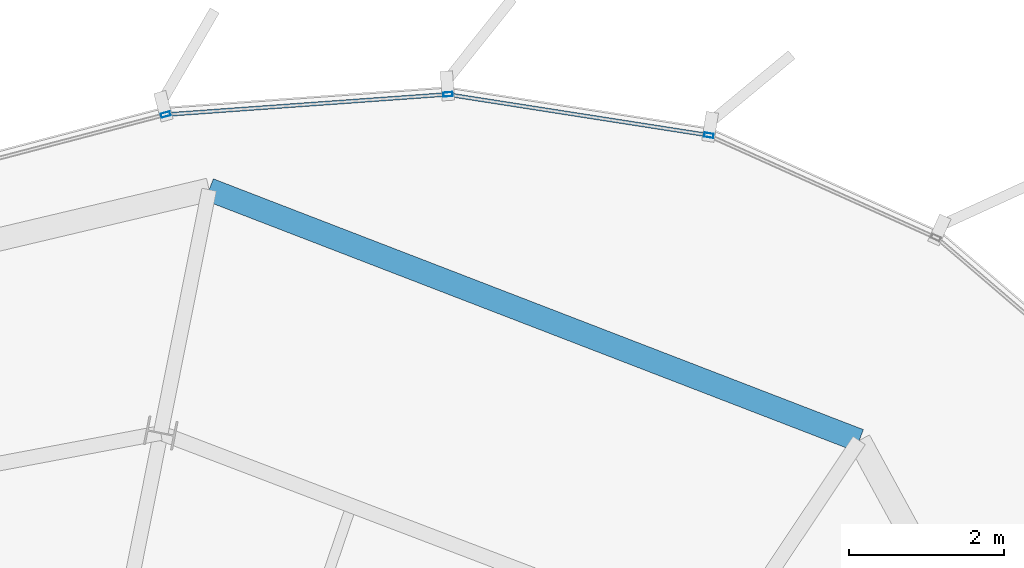
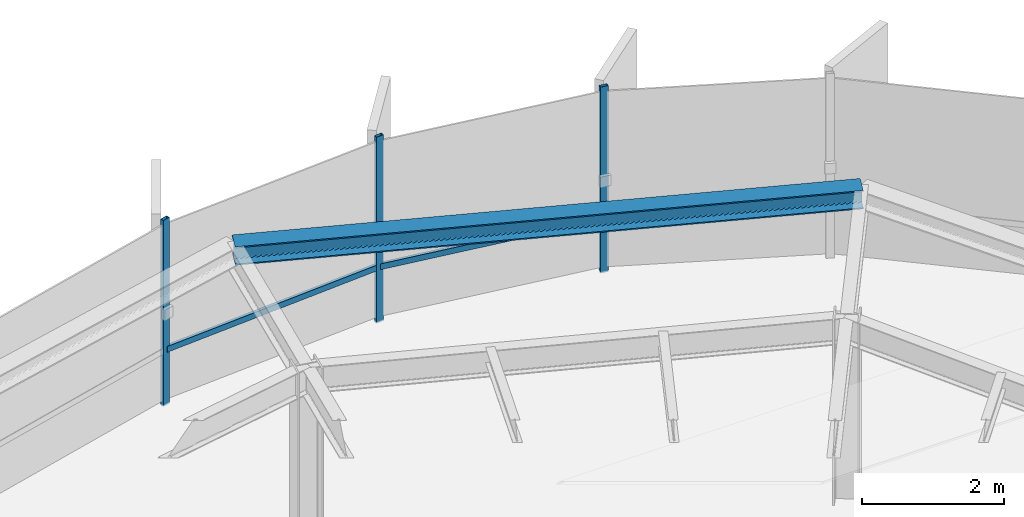
# One storey, part 22 of 33: 5 members, 1 beam, 1 element without a shape of its own.
"""IFC4 building model written with IfcOpenShell, lengths in metres."""

from ifc_helpers import new_model, si_unit, direction, frame, origin, origin_2d, place, context, subcontext, project, spatial, hollow_rectangle, i_section, extrude, source, transform, mapped, material, layer, layer_set, material_profile, profile_set, type_object, element, aggregate, save


model = new_model("IFC4")

# Units and contexts
model_context = context("Model", 3, precision=1e-05, world=origin(), true_north=direction((0.0, 1.0)))
body_context = subcontext(model_context, "Body", "Model", "MODEL_VIEW")
ifc_project = project(units=[si_unit("LENGTHUNIT", "METRE"), si_unit("AREAUNIT", "SQUARE_METRE"), si_unit("VOLUMEUNIT", "CUBIC_METRE"), si_unit("PLANEANGLEUNIT", "RADIAN"), si_unit("MASSUNIT", "GRAM", prefix="KILO"), si_unit("THERMODYNAMICTEMPERATUREUNIT", "KELVIN")], contexts=[model_context])

# Site, building, storey
site_placement = place(None, origin())
site = spatial("IfcSite", under=ifc_project, at=site_placement, CompositionType="ELEMENT")
building_placement = place(site_placement, origin())
building = spatial("IfcBuilding", under=site, at=building_placement, Name="Kethvar Cultural Tower", CompositionType="ELEMENT")
storey_placement = place(building_placement, frame((0.0, 0.0, 266.35009765625)))
storey = spatial("IfcBuildingStorey", under=building, at=storey_placement, Name="L70", CompositionType="ELEMENT", Elevation=266.35009765625)

# Beam
ifc_material_1 = material(Name="Steel S355J2", Category="steel")
ifc_material_profile_1 = material_profile(ifc_material_1, i_section(OverallWidth=0.300048828125, OverallDepth=0.320068359375, WebThickness=0.011474609375, FlangeThickness=0.0205078125, FilletRadius=0.027099609375, at=origin_2d()), Name="Steel S355J2 — HEB320")
ifc_profile_set_1 = profile_set([ifc_material_profile_1], Name="Steel S355J2 — HEB320")
beam_type = type_object("IfcBeamType", Name="BM-SP320", PredefinedType="SPANDREL", material=ifc_profile_set_1)
shared_shape_1 = source(origin(), body_context, "Body", "SweptSolid", [
    extrude(i_section(OverallWidth=0.300048828125, OverallDepth=0.320068359375, WebThickness=0.011474609375, FlangeThickness=0.0205078125, FilletRadius=0.027099609375, at=origin_2d()), origin(), (0.0, 0.0, 1.0), 8.98583984375),
])
beam_placement = place(storey_placement, frame((59.653076171875, 47.035888671875, 3.0478515625), z_axis=(-0.932983803051, 0.359918356359, 0.0), x_axis=(-0.359918356359, -0.932983803051, 0.0)))
element("IfcBeam", 1, at=beam_placement, inside=storey, type_object=beam_type, Name="L70 Perimeter Spandrel Beam SP-03", PredefinedType="SPANDREL", context=body_context, shape_type="MappedRepresentation", body=[
    mapped(shared_shape_1, transform((0.0, 0.0, 0.0), scale=1.0)),
])

# Curtain wall, members
ifc_material_2 = material(Name="Aluminium 6063-T6", Category="aluminium")
ifc_layer = layer(ifc_material_2, 0.179931640625, Name="Aluminium 6063-T6", Category="aluminium")
ifc_layer_set = layer_set([ifc_layer], Name="Aluminium 6063-T6 (180 mm)")
curtain_wall_type = type_object("IfcCurtainWallType", Name="CW-SYS-05-Z56", PredefinedType="NOTDEFINED", material=ifc_layer_set)
curtain_wall_placement = place(storey_placement, origin())
curtain_wall = element("IfcCurtainWall", 2, at=curtain_wall_placement, inside=storey, type_object=curtain_wall_type, Name="L70 Curtain Wall Run 01", PredefinedType="NOTDEFINED")
ifc_material_profile_2 = material_profile(ifc_material_2, hollow_rectangle(XDim=0.054931640625, YDim=0.1201171875, WallThickness=0.00390625, at=origin_2d()), Name="Aluminium 6063-T6 — RHS120x55x4")
ifc_profile_set_2 = profile_set([ifc_material_profile_2], Name="Aluminium 6063-T6 — RHS120x55x4")
member_type_1 = type_object("IfcMemberType", Name="CW-SYS-05-Z56-MUL", PredefinedType="MULLION", material=ifc_profile_set_2)
shared_shape_2 = source(origin(), body_context, "Body", "SweptSolid", [
    extrude(hollow_rectangle(XDim=0.054931640625, YDim=0.1201171875, WallThickness=0.00390625, at=origin_2d()), origin(), (0.0, 0.0, 1.0), 3.2099609375),
])
member_1_placement = place(storey_placement, frame((57.713134765625, 50.97119140625, 0.0), z_axis=(0.0, 0.0, 1.0), x_axis=(-0.154331025548, -0.988019197462, 0.0)))
member_1 = element("IfcMember", 3, at=member_1_placement, type_object=member_type_1, Name="CW-L70-R01 Mullion 2", PredefinedType="MULLION", context=body_context, shape_type="MappedRepresentation", body=[
    mapped(shared_shape_2, transform((0.0, 0.0, 0.0), scale=1.0)),
])
member_2_placement = place(storey_placement, frame((54.349365234375, 51.499267578125, 0.0), z_axis=(0.0, 0.0, 1.0), x_axis=(0.071741162956, -0.997423283034, 0.0)))
member_2 = element("IfcMember", 4, at=member_2_placement, type_object=member_type_1, Name="CW-L70-R01 Mullion 3", PredefinedType="MULLION", context=body_context, shape_type="MappedRepresentation", body=[
    mapped(shared_shape_2, transform((0.0, 0.0, 0.0), scale=1.0)),
])
member_3_placement = place(storey_placement, frame((50.7080078125, 51.239013671875, 0.0), z_axis=(0.0, 0.0, 1.0), x_axis=(0.2534709393, -0.967343001696, 0.0)))
member_3 = element("IfcMember", 5, at=member_3_placement, type_object=member_type_1, Name="CW-L70-R01 Mullion 4", PredefinedType="MULLION", context=body_context, shape_type="MappedRepresentation", body=[
    mapped(shared_shape_2, transform((0.0, 0.0, 0.0), scale=1.0)),
])
ifc_material_profile_3 = material_profile(ifc_material_2, hollow_rectangle(XDim=0.050048828125, YDim=0.10009765625, WallThickness=0.00390625, at=origin_2d()), Name="Aluminium 6063-T6 — RHS100x50x4")
ifc_profile_set_3 = profile_set([ifc_material_profile_3], Name="Aluminium 6063-T6 — RHS100x50x4")
member_type_2 = type_object("IfcMemberType", Name="CW-SYS-05-Z56-TRN", PredefinedType="USERDEFINED", material=ifc_profile_set_3)
shared_shape_3 = source(origin(), body_context, "Body", "SweptSolid", [
    extrude(hollow_rectangle(XDim=0.050048828125, YDim=0.10009765625, WallThickness=0.00390625, at=origin_2d()), origin(), (0.0, 0.0, 1.0), 3.348388671875),
])
member_4_placement = place(storey_placement, frame((57.674072265625, 50.977294921875, 0.949951171875), z_axis=(-0.988026972901, 0.154281239367, 0.0), x_axis=(-0.154281239367, -0.988026972901, 0.0)))
member_4 = element("IfcMember", 6, at=member_4_placement, type_object=member_type_2, Name="CW-L70-R01 Transom 2", ObjectType="TRANSOM", PredefinedType="USERDEFINED", context=body_context, shape_type="MappedRepresentation", body=[
    mapped(shared_shape_3, transform((0.0, 0.0, 0.0), scale=1.0)),
])
shared_shape_4 = source(origin(), body_context, "Body", "SweptSolid", [
    extrude(hollow_rectangle(XDim=0.050048828125, YDim=0.10009765625, WallThickness=0.00390625, at=origin_2d()), origin(), (0.0, 0.0, 1.0), 3.58984375),
])
member_5_placement = place(storey_placement, frame((54.309814453125, 51.496337890625, 0.949951171875), z_axis=(-0.997422669857, -0.071749687488, 0.0), x_axis=(0.071749687488, -0.997422669857, 0.0)))
member_5 = element("IfcMember", 7, at=member_5_placement, type_object=member_type_2, Name="CW-L70-R01 Transom 3", ObjectType="TRANSOM", PredefinedType="USERDEFINED", context=body_context, shape_type="MappedRepresentation", body=[
    mapped(shared_shape_4, transform((0.0, 0.0, 0.0), scale=1.0)),
])
aggregate(curtain_wall, [member_1, member_2, member_3, member_4, member_5])

save(model, "model.ifc")
